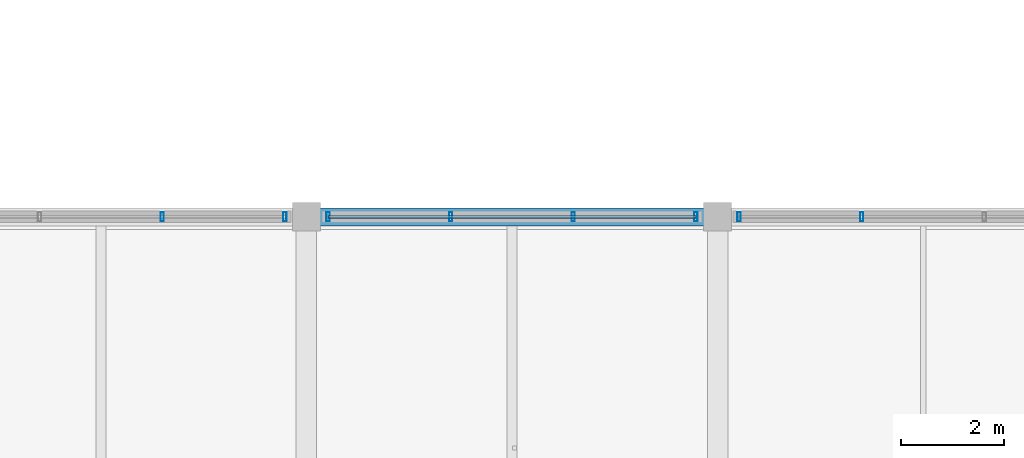
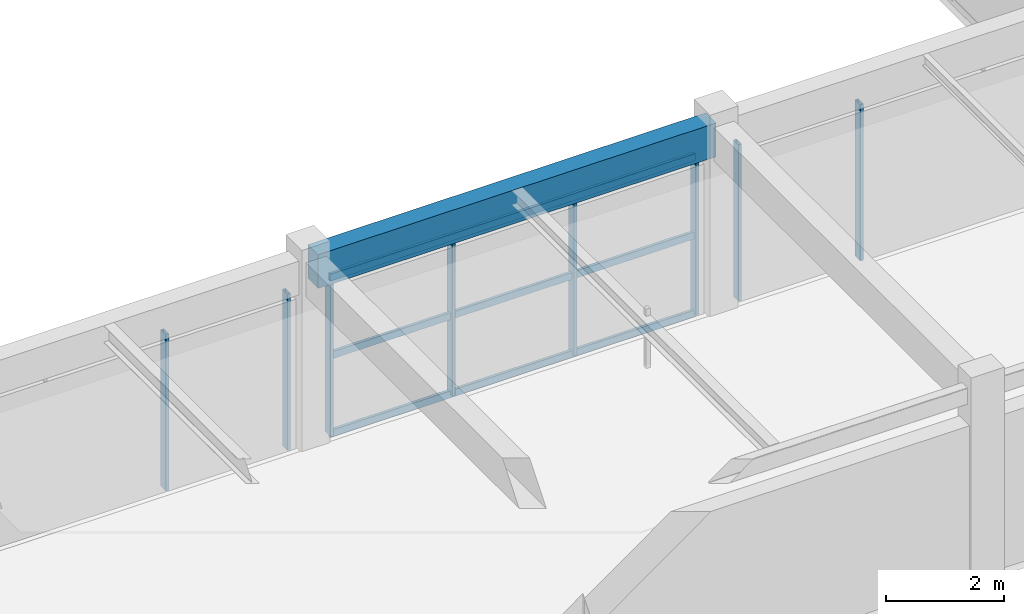
# One storey, part 16 of 63: 11 members, 1 beam, 3 elements without a shape of their own.
"""IFC4 building model written with IfcOpenShell, lengths in metres."""

from ifc_helpers import new_model, si_unit, direction, frame, origin, origin_2d, place, context, subcontext, project, spatial, rectangle, hollow_rectangle, extrude, material, material_profile, profile_set, type_object, element, aggregate, save


model = new_model("IFC4")

# Units and contexts
model_context = context("Model", 3, precision=1e-05, world=origin(), true_north=direction((0.0, 1.0)))
body_context = subcontext(model_context, "Body", "Model", "MODEL_VIEW")
ifc_project = project(units=[si_unit("LENGTHUNIT", "METRE"), si_unit("AREAUNIT", "SQUARE_METRE"), si_unit("VOLUMEUNIT", "CUBIC_METRE"), si_unit("PLANEANGLEUNIT", "RADIAN"), si_unit("MASSUNIT", "GRAM", prefix="KILO")], contexts=[model_context])

# Site, building, storey
site_placement = place(None, origin())
site = spatial("IfcSite", under=ifc_project, at=site_placement, CompositionType="ELEMENT")
building_placement = place(site_placement, origin())
building = spatial("IfcBuilding", under=site, at=building_placement, Name="Varnabhumi Central Station", CompositionType="ELEMENT")
storey_placement = place(building_placement, frame((0.0, 0.0, 20.39990234375)))
storey = spatial("IfcBuildingStorey", under=building, at=storey_placement, Name="L04", CompositionType="ELEMENT", Elevation=20.39990234375)

# Beam
ifc_material_1 = material(Name="Concrete M40", Category="concrete")
ifc_material_profile_1 = material_profile(ifc_material_1, rectangle(XDim=0.35009765625, YDim=0.699951171875, at=origin_2d()), Name="Concrete M40", Category="concrete")
ifc_profile_set_1 = profile_set([ifc_material_profile_1], Name="Concrete M40")
beam_type = type_object("IfcBeamType", Name="BM-RC-350x700", PredefinedType="BEAM", material=ifc_profile_set_1)
beam_placement = place(storey_placement, frame((128.10009765625, 9.0, 3.570068359375), z_axis=(1.0, 0.0, 0.0), x_axis=(0.0, 1.0, 0.0)))
element("IfcBeam", 1, at=beam_placement, inside=storey, type_object=beam_type, Name="Beam L04-B:17-18", PredefinedType="BEAM", context=body_context, shape_type="SweptSolid", body=[
    extrude(rectangle(XDim=0.35009765625, YDim=0.699951171875, at=origin_2d()), origin(), (0.0, 0.0, 1.0), 7.7998046875),
])

# Curtain wall, members
ifc_material_2 = material(Name="Anodised aluminium 6063-T6", Category="aluminium")
curtain_wall_type = type_object("IfcCurtainWallType", Name="CW-PATIO-LOGGIA-L3", PredefinedType="NOTDEFINED", material=ifc_material_2)
curtain_wall_1_placement = place(storey_placement, origin())
curtain_wall_1 = element("IfcCurtainWall", 2, at=curtain_wall_1_placement, inside=storey, type_object=curtain_wall_type, Name="Curtain Wall CW-SP4S2", PredefinedType="NOTDEFINED")
ifc_material_profile_2 = material_profile(ifc_material_2, hollow_rectangle(XDim=0.06494140625, YDim=0.179931640625, WallThickness=0.00390625, InnerFilletRadius=0.001953125, OuterFilletRadius=0.006103515625, at=origin_2d()), Name="Anodised aluminium 6063-T6", Category="aluminium")
ifc_profile_set_2 = profile_set([ifc_material_profile_2], Name="Anodised aluminium 6063-T6")
member_type_1 = type_object("IfcMemberType", Name="CW-MUL-180", PredefinedType="MULLION", material=ifc_profile_set_2)
member_1_placement = place(storey_placement, frame((125.193359375, 9.0, 0.0), z_axis=(0.0, 0.0, 1.0), x_axis=(1.0, 0.0, 0.0)))
member_1 = element("IfcMember", 3, at=member_1_placement, type_object=member_type_1, Name="Curtain Wall Mullion CW-SP4S2-M3", PredefinedType="MULLION", context=body_context, shape_type="SweptSolid", body=[
    extrude(hollow_rectangle(XDim=0.06494140625, YDim=0.179931640625, WallThickness=0.00390625, InnerFilletRadius=0.001953125, OuterFilletRadius=0.006103515625, at=origin_2d()), origin(), (0.0, 0.0, 1.0), 3.239990234375),
])
member_2_placement = place(storey_placement, frame((127.580078125, 9.0, 0.0), z_axis=(0.0, 0.0, 1.0), x_axis=(1.0, 0.0, 0.0)))
member_2 = element("IfcMember", 4, at=member_2_placement, type_object=member_type_1, Name="Curtain Wall Mullion CW-SP4S2-M4", PredefinedType="MULLION", context=body_context, shape_type="SweptSolid", body=[
    extrude(hollow_rectangle(XDim=0.06494140625, YDim=0.179931640625, WallThickness=0.00390625, InnerFilletRadius=0.001953125, OuterFilletRadius=0.006103515625, at=origin_2d()), origin(), (0.0, 0.0, 1.0), 3.239990234375),
])
aggregate(curtain_wall_1, [member_1, member_2])

curtain_wall_2_placement = place(storey_placement, origin())
curtain_wall_2 = element("IfcCurtainWall", 5, at=curtain_wall_2_placement, inside=storey, type_object=curtain_wall_type, Name="Curtain Wall CW-SP4S3", PredefinedType="NOTDEFINED")
member_3_placement = place(storey_placement, frame((128.419921875, 9.0, 0.0), z_axis=(0.0, 0.0, 1.0), x_axis=(1.0, 0.0, 0.0)))
member_3 = element("IfcMember", 6, at=member_3_placement, type_object=member_type_1, Name="Curtain Wall Mullion CW-SP4S3-M1", PredefinedType="MULLION", context=body_context, shape_type="SweptSolid", body=[
    extrude(hollow_rectangle(XDim=0.06494140625, YDim=0.179931640625, WallThickness=0.00390625, InnerFilletRadius=0.001953125, OuterFilletRadius=0.006103515625, at=origin_2d()), origin(), (0.0, 0.0, 1.0), 3.239990234375),
])
member_4_placement = place(storey_placement, frame((130.806640625, 9.0, 0.0), z_axis=(0.0, 0.0, 1.0), x_axis=(1.0, 0.0, 0.0)))
member_4 = element("IfcMember", 7, at=member_4_placement, type_object=member_type_1, Name="Curtain Wall Mullion CW-SP4S3-M2", PredefinedType="MULLION", context=body_context, shape_type="SweptSolid", body=[
    extrude(hollow_rectangle(XDim=0.06494140625, YDim=0.179931640625, WallThickness=0.00390625, InnerFilletRadius=0.001953125, OuterFilletRadius=0.006103515625, at=origin_2d()), origin(), (0.0, 0.0, 1.0), 3.239990234375),
])
member_5_placement = place(storey_placement, frame((133.193359375, 9.0, 0.0), z_axis=(0.0, 0.0, 1.0), x_axis=(1.0, 0.0, 0.0)))
member_5 = element("IfcMember", 8, at=member_5_placement, type_object=member_type_1, Name="Curtain Wall Mullion CW-SP4S3-M3", PredefinedType="MULLION", context=body_context, shape_type="SweptSolid", body=[
    extrude(hollow_rectangle(XDim=0.06494140625, YDim=0.179931640625, WallThickness=0.00390625, InnerFilletRadius=0.001953125, OuterFilletRadius=0.006103515625, at=origin_2d()), origin(), (0.0, 0.0, 1.0), 3.239990234375),
])
member_6_placement = place(storey_placement, frame((135.580078125, 9.0, 0.0), z_axis=(0.0, 0.0, 1.0), x_axis=(1.0, 0.0, 0.0)))
member_6 = element("IfcMember", 9, at=member_6_placement, type_object=member_type_1, Name="Curtain Wall Mullion CW-SP4S3-M4", PredefinedType="MULLION", context=body_context, shape_type="SweptSolid", body=[
    extrude(hollow_rectangle(XDim=0.06494140625, YDim=0.179931640625, WallThickness=0.00390625, InnerFilletRadius=0.001953125, OuterFilletRadius=0.006103515625, at=origin_2d()), origin(), (0.0, 0.0, 1.0), 3.239990234375),
])

curtain_wall_3_placement = place(storey_placement, origin())
curtain_wall_3 = element("IfcCurtainWall", 10, at=curtain_wall_3_placement, inside=storey, type_object=curtain_wall_type, Name="Curtain Wall CW-SP4S4", PredefinedType="NOTDEFINED")
member_7_placement = place(storey_placement, frame((136.419921875, 9.0, 0.0), z_axis=(0.0, 0.0, 1.0), x_axis=(1.0, 0.0, 0.0)))
member_7 = element("IfcMember", 11, at=member_7_placement, type_object=member_type_1, Name="Curtain Wall Mullion CW-SP4S4-M1", PredefinedType="MULLION", context=body_context, shape_type="SweptSolid", body=[
    extrude(hollow_rectangle(XDim=0.06494140625, YDim=0.179931640625, WallThickness=0.00390625, InnerFilletRadius=0.001953125, OuterFilletRadius=0.006103515625, at=origin_2d()), origin(), (0.0, 0.0, 1.0), 3.239990234375),
])
member_8_placement = place(storey_placement, frame((138.806640625, 9.0, 0.0), z_axis=(0.0, 0.0, 1.0), x_axis=(1.0, 0.0, 0.0)))
member_8 = element("IfcMember", 12, at=member_8_placement, type_object=member_type_1, Name="Curtain Wall Mullion CW-SP4S4-M2", PredefinedType="MULLION", context=body_context, shape_type="SweptSolid", body=[
    extrude(hollow_rectangle(XDim=0.06494140625, YDim=0.179931640625, WallThickness=0.00390625, InnerFilletRadius=0.001953125, OuterFilletRadius=0.006103515625, at=origin_2d()), origin(), (0.0, 0.0, 1.0), 3.239990234375),
])
aggregate(curtain_wall_3, [member_7, member_8])

# Member
ifc_material_profile_3 = material_profile(ifc_material_2, hollow_rectangle(XDim=0.06005859375, YDim=0.14990234375, WallThickness=0.00390625, InnerFilletRadius=0.001953125, OuterFilletRadius=0.006103515625, at=origin_2d()), Name="Anodised aluminium 6063-T6", Category="aluminium")
ifc_profile_set_3 = profile_set([ifc_material_profile_3], Name="Anodised aluminium 6063-T6")
member_type_2 = type_object("IfcMemberType", Name="CW-TR-150", PredefinedType="USERDEFINED", material=ifc_profile_set_3)
member_9_placement = place(storey_placement, frame((128.419921875, 9.0, 0.0), z_axis=(1.0, 0.0, 0.0), x_axis=(0.0, 1.0, 0.0)))
member_9 = element("IfcMember", 13, at=member_9_placement, type_object=member_type_2, Name="Curtain Wall Transom CW-SP4S3-T1", ObjectType="TRANSOM", PredefinedType="USERDEFINED", context=body_context, shape_type="SweptSolid", body=[
    extrude(hollow_rectangle(XDim=0.06005859375, YDim=0.14990234375, WallThickness=0.00390625, InnerFilletRadius=0.001953125, OuterFilletRadius=0.006103515625, at=origin_2d()), origin(), (0.0, 0.0, 1.0), 7.16015625),
])

member_10_placement = place(storey_placement, frame((128.419921875, 9.0, 1.6201171875), z_axis=(1.0, 0.0, 0.0), x_axis=(0.0, 1.0, 0.0)))
member_10 = element("IfcMember", 14, at=member_10_placement, type_object=member_type_2, Name="Curtain Wall Transom CW-SP4S3-T2", ObjectType="TRANSOM", PredefinedType="USERDEFINED", context=body_context, shape_type="SweptSolid", body=[
    extrude(hollow_rectangle(XDim=0.06005859375, YDim=0.14990234375, WallThickness=0.00390625, InnerFilletRadius=0.001953125, OuterFilletRadius=0.006103515625, at=origin_2d()), origin(), (0.0, 0.0, 1.0), 7.16015625),
])

member_11_placement = place(storey_placement, frame((128.419921875, 9.0, 3.239990234375), z_axis=(1.0, 0.0, 0.0), x_axis=(0.0, 1.0, 0.0)))
member_11 = element("IfcMember", 15, at=member_11_placement, type_object=member_type_2, Name="Curtain Wall Transom CW-SP4S3-T3", ObjectType="TRANSOM", PredefinedType="USERDEFINED", context=body_context, shape_type="SweptSolid", body=[
    extrude(hollow_rectangle(XDim=0.06005859375, YDim=0.14990234375, WallThickness=0.00390625, InnerFilletRadius=0.001953125, OuterFilletRadius=0.006103515625, at=origin_2d()), origin(), (0.0, 0.0, 1.0), 7.16015625),
])

aggregate(curtain_wall_2, [member_3, member_4, member_5, member_6, member_9, member_10, member_11])

save(model, "model.ifc")
